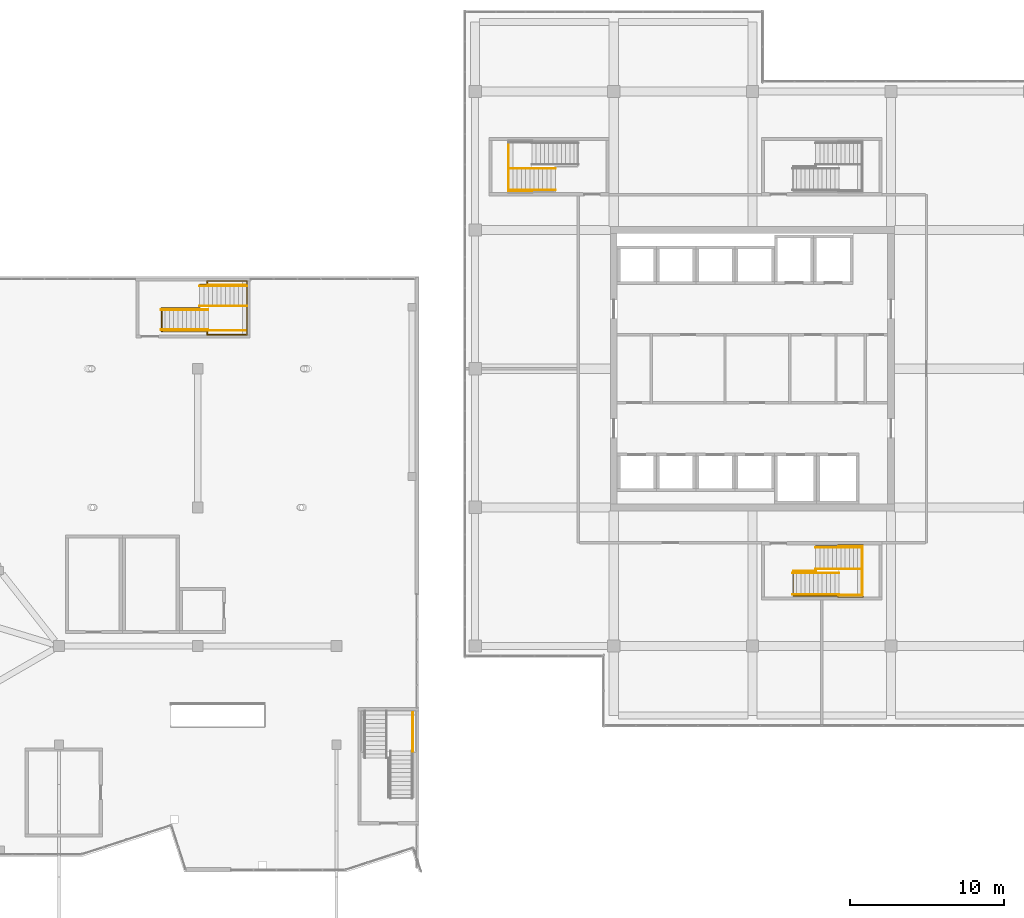
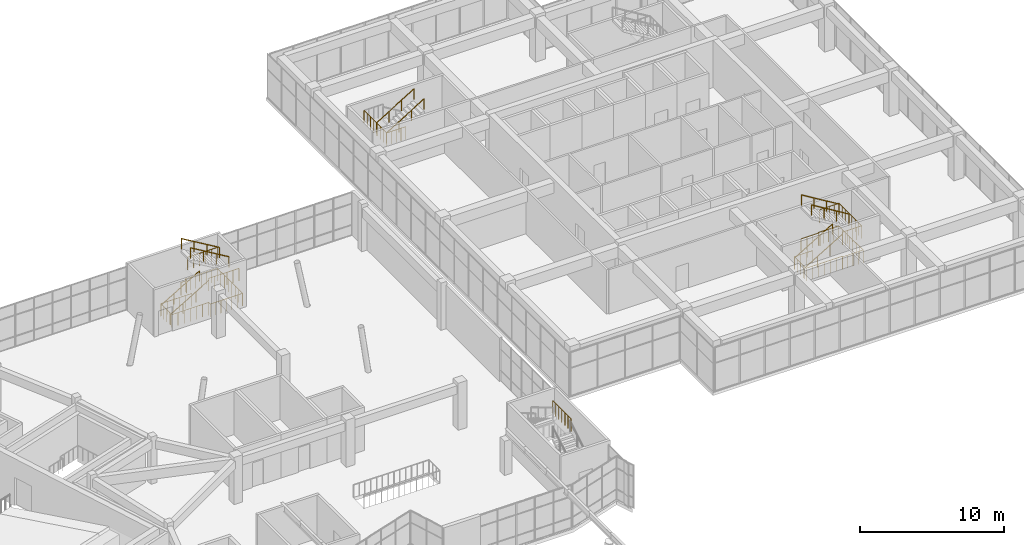
# One storey, part 64 of 65: 22 railings.
"""IFC4 building model written with IfcOpenShell, lengths in metres."""

from ifc_helpers import new_model, si_unit, direction, frame, origin, origin_2d, place, context, subcontext, project, spatial, circle, extrude, material, type_object, element, save


model = new_model("IFC4")

# Units and contexts
model_context = context("Model", 3, precision=1e-05, world=origin(), true_north=direction((0.0, 1.0)))
body_context = subcontext(model_context, "Body", "Model", "MODEL_VIEW")
ifc_project = project(units=[si_unit("LENGTHUNIT", "METRE"), si_unit("AREAUNIT", "SQUARE_METRE"), si_unit("VOLUMEUNIT", "CUBIC_METRE"), si_unit("PLANEANGLEUNIT", "RADIAN"), si_unit("MASSUNIT", "GRAM", prefix="KILO")], contexts=[model_context])

# Site, building, storey
site_placement = place(None, origin())
site = spatial("IfcSite", under=ifc_project, at=site_placement, CompositionType="ELEMENT")
building_placement = place(site_placement, origin())
building = spatial("IfcBuilding", under=site, at=building_placement, Name="Tuart Plaza Theatre", CompositionType="ELEMENT")
storey_placement = place(building_placement, frame((0.0, 0.0, 9.5)))
storey = spatial("IfcBuildingStorey", under=building, at=storey_placement, Name="L02", CompositionType="ELEMENT", Elevation=9.5)

# Railings
ifc_material_1 = material(Name="Steel Grade C350L0", Category="steel")
railing_type_1 = type_object("IfcRailingType", Name="RAILING Guard 1100", PredefinedType="GUARDRAIL", material=ifc_material_1)
railing_1_placement = place(storey_placement, frame((93.659912109375, 76.425048828125, 0.0)))
element("IfcRailing", 1, at=railing_1_placement, inside=storey, type_object=railing_type_1, Name="GR135", PredefinedType="GUARDRAIL", context=body_context, shape_type="SweptSolid", body=[
    extrude(circle(Radius=0.02490234375, at=origin_2d()), frame((0.0, 0.0, 1.0751953125), z_axis=(0.0, 1.0, 0.0), x_axis=(-1.0, 0.0, 0.0)), (0.0, 0.0, 1.0), 1.52490234375),
    extrude(circle(Radius=0.02490234375, at=origin_2d()), frame((0.0, 1.52490234375, 1.0751953125), z_axis=(1.0, 0.0, 0.0), x_axis=(0.0, 1.0, 0.0)), (0.0, 0.0, 1.0), 2.47509765625),
    extrude(circle(Radius=0.02001953125, at=origin_2d()), origin(), (0.0, 0.0, 1.0), 1.050048828125),
    extrude(circle(Radius=0.02001953125, at=origin_2d()), frame((0.0, 0.38134765625, 0.0)), (0.0, 0.0, 1.0), 1.050048828125),
    extrude(circle(Radius=0.02001953125, at=origin_2d()), frame((0.0, 0.762451171875, 0.0)), (0.0, 0.0, 1.0), 1.050048828125),
    extrude(circle(Radius=0.02001953125, at=origin_2d()), frame((0.0, 1.1435546875, 0.0)), (0.0, 0.0, 1.0), 1.050048828125),
    extrude(circle(Radius=0.02001953125, at=origin_2d()), frame((0.0, 1.52490234375, 0.0)), (0.0, 0.0, 1.0), 1.050048828125),
    extrude(circle(Radius=0.02001953125, at=origin_2d()), frame((0.4951171875, 1.52490234375, 0.0)), (0.0, 0.0, 1.0), 1.050048828125),
    extrude(circle(Radius=0.02001953125, at=origin_2d()), frame((0.989990234375, 1.52490234375, 0.0)), (0.0, 0.0, 1.0), 1.050048828125),
    extrude(circle(Radius=0.02001953125, at=origin_2d()), frame((1.485107421875, 1.52490234375, 0.0)), (0.0, 0.0, 1.0), 1.050048828125),
    extrude(circle(Radius=0.02001953125, at=origin_2d()), frame((1.97998046875, 1.52490234375, 0.0)), (0.0, 0.0, 1.0), 1.050048828125),
    extrude(circle(Radius=0.02001953125, at=origin_2d()), frame((2.47509765625, 1.52490234375, 0.0)), (0.0, 0.0, 1.0), 1.050048828125),
])
railing_2_placement = place(storey_placement, frame((96.139892578125, 79.429931640625, 0.0)))
element("IfcRailing", 2, at=railing_2_placement, inside=storey, type_object=railing_type_1, Name="GR136", PredefinedType="GUARDRAIL", context=body_context, shape_type="SweptSolid", body=[
    extrude(circle(Radius=0.02490234375, at=origin_2d()), frame((0.0, 0.0, 1.0751953125), z_axis=(0.0, 1.0, 0.0), x_axis=(-1.0, 0.0, 0.0)), (0.0, 0.0, 1.0), 0.045166015625),
    extrude(circle(Radius=0.02490234375, at=origin_2d()), frame((0.0, 0.045166015625, 1.0751953125), z_axis=(1.0, 0.0, 0.0), x_axis=(0.0, 1.0, 0.0)), (0.0, 0.0, 1.0), 0.47021484375),
    extrude(circle(Radius=0.02490234375, at=origin_2d()), frame((0.47021484375, 0.045166015625, 1.0751953125), z_axis=(0.0, 1.0, 0.0), x_axis=(-1.0, 0.0, 0.0)), (0.0, 0.0, 1.0), 0.224853515625),
    extrude(circle(Radius=0.02490234375, at=origin_2d()), frame((0.47021484375, 0.27001953125, 1.0751953125), z_axis=(1.0, 0.0, 0.0), x_axis=(0.0, 1.0, 0.0)), (0.0, 0.0, 1.0), 2.58984375),
    extrude(circle(Radius=0.02490234375, at=origin_2d()), frame((3.06005859375, 0.27001953125, 1.0751953125), z_axis=(0.0, -1.0, 0.0), x_axis=(1.0, 0.0, 0.0)), (0.0, 0.0, 1.0), 3.5),
    extrude(circle(Radius=0.02490234375, at=origin_2d()), frame((3.06005859375, -3.22998046875, 1.0751953125), z_axis=(-1.0, 0.0, 0.0), x_axis=(0.0, -1.0, 0.0)), (0.0, 0.0, 1.0), 2.58984375),
    extrude(circle(Radius=0.02490234375, at=origin_2d()), frame((0.47021484375, -3.22998046875, 1.0751953125), z_axis=(0.0, 1.0, 0.0), x_axis=(-1.0, 0.0, 0.0)), (0.0, 0.0, 1.0), 0.22509765625),
    extrude(circle(Radius=0.02490234375, at=origin_2d()), frame((0.47021484375, -3.0048828125, 1.0751953125), z_axis=(-1.0, 0.0, 0.0), x_axis=(0.0, -1.0, 0.0)), (0.0, 0.0, 1.0), 2.9501953125),
    extrude(circle(Radius=0.02001953125, at=origin_2d()), origin(), (0.0, 0.0, 1.0), 1.050048828125),
    extrude(circle(Radius=0.02001953125, at=origin_2d()), frame((0.0, 0.045166015625, 0.0)), (0.0, 0.0, 1.0), 1.050048828125),
    extrude(circle(Radius=0.02001953125, at=origin_2d()), frame((0.47021484375, 0.045166015625, 0.0)), (0.0, 0.0, 1.0), 1.050048828125),
    extrude(circle(Radius=0.02001953125, at=origin_2d()), frame((0.47021484375, 0.27001953125, 0.0)), (0.0, 0.0, 1.0), 1.050048828125),
    extrude(circle(Radius=0.02001953125, at=origin_2d()), frame((0.90185546875, 0.27001953125, 0.0)), (0.0, 0.0, 1.0), 1.050048828125),
    extrude(circle(Radius=0.02001953125, at=origin_2d()), frame((1.33349609375, 0.27001953125, 0.0)), (0.0, 0.0, 1.0), 1.050048828125),
    extrude(circle(Radius=0.02001953125, at=origin_2d()), frame((1.76513671875, 0.27001953125, 0.0)), (0.0, 0.0, 1.0), 1.050048828125),
    extrude(circle(Radius=0.02001953125, at=origin_2d()), frame((2.19677734375, 0.27001953125, 0.0)), (0.0, 0.0, 1.0), 1.050048828125),
    extrude(circle(Radius=0.02001953125, at=origin_2d()), frame((2.62841796875, 0.27001953125, 0.0)), (0.0, 0.0, 1.0), 1.050048828125),
    extrude(circle(Radius=0.02001953125, at=origin_2d()), frame((3.06005859375, 0.27001953125, 0.0)), (0.0, 0.0, 1.0), 1.050048828125),
    extrude(circle(Radius=0.02001953125, at=origin_2d()), frame((3.06005859375, -0.22998046875, 0.0)), (0.0, 0.0, 1.0), 1.050048828125),
    extrude(circle(Radius=0.02001953125, at=origin_2d()), frame((3.06005859375, -0.72998046875, 0.0)), (0.0, 0.0, 1.0), 1.050048828125),
    extrude(circle(Radius=0.02001953125, at=origin_2d()), frame((3.06005859375, -1.22998046875, 0.0)), (0.0, 0.0, 1.0), 1.050048828125),
    extrude(circle(Radius=0.02001953125, at=origin_2d()), frame((3.06005859375, -1.72998046875, 0.0)), (0.0, 0.0, 1.0), 1.050048828125),
    extrude(circle(Radius=0.02001953125, at=origin_2d()), frame((3.06005859375, -2.22998046875, 0.0)), (0.0, 0.0, 1.0), 1.050048828125),
    extrude(circle(Radius=0.02001953125, at=origin_2d()), frame((3.06005859375, -2.72998046875, 0.0)), (0.0, 0.0, 1.0), 1.050048828125),
    extrude(circle(Radius=0.02001953125, at=origin_2d()), frame((3.06005859375, -3.22998046875, 0.0)), (0.0, 0.0, 1.0), 1.050048828125),
    extrude(circle(Radius=0.02001953125, at=origin_2d()), frame((2.62841796875, -3.22998046875, 0.0)), (0.0, 0.0, 1.0), 1.050048828125),
    extrude(circle(Radius=0.02001953125, at=origin_2d()), frame((2.19677734375, -3.22998046875, 0.0)), (0.0, 0.0, 1.0), 1.050048828125),
    extrude(circle(Radius=0.02001953125, at=origin_2d()), frame((1.76513671875, -3.22998046875, 0.0)), (0.0, 0.0, 1.0), 1.050048828125),
    extrude(circle(Radius=0.02001953125, at=origin_2d()), frame((1.33349609375, -3.22998046875, 0.0)), (0.0, 0.0, 1.0), 1.050048828125),
    extrude(circle(Radius=0.02001953125, at=origin_2d()), frame((0.90185546875, -3.22998046875, 0.0)), (0.0, 0.0, 1.0), 1.050048828125),
    extrude(circle(Radius=0.02001953125, at=origin_2d()), frame((0.47021484375, -3.22998046875, 0.0)), (0.0, 0.0, 1.0), 1.050048828125),
    extrude(circle(Radius=0.02001953125, at=origin_2d()), frame((0.47021484375, -3.0048828125, 0.0)), (0.0, 0.0, 1.0), 1.050048828125),
    extrude(circle(Radius=0.02001953125, at=origin_2d()), frame((-0.021484375, -3.0048828125, 0.0)), (0.0, 0.0, 1.0), 1.050048828125),
    extrude(circle(Radius=0.02001953125, at=origin_2d()), frame((-0.51318359375, -3.0048828125, 0.0)), (0.0, 0.0, 1.0), 1.050048828125),
    extrude(circle(Radius=0.02001953125, at=origin_2d()), frame((-1.0048828125, -3.0048828125, 0.0)), (0.0, 0.0, 1.0), 1.050048828125),
    extrude(circle(Radius=0.02001953125, at=origin_2d()), frame((-1.49658203125, -3.0048828125, 0.0)), (0.0, 0.0, 1.0), 1.050048828125),
    extrude(circle(Radius=0.02001953125, at=origin_2d()), frame((-1.98828125, -3.0048828125, 0.0)), (0.0, 0.0, 1.0), 1.050048828125),
    extrude(circle(Radius=0.02001953125, at=origin_2d()), frame((-2.47998046875, -3.0048828125, 0.0)), (0.0, 0.0, 1.0), 1.050048828125),
])
railing_3_placement = place(storey_placement, frame((96.659912109375, 76.47509765625, 2.0)))
element("IfcRailing", 3, at=railing_3_placement, inside=storey, type_object=railing_type_1, Name="GR141", PredefinedType="GUARDRAIL", context=body_context, shape_type="SweptSolid", body=[
    extrude(circle(Radius=0.02490234375, at=origin_2d()), frame((0.0, 0.0, 1.0751953125), z_axis=(1.0, 0.0, 0.0), x_axis=(0.0, 1.0, 0.0)), (0.0, 0.0, 1.0), 2.420166015625),
    extrude(circle(Radius=0.02001953125, at=origin_2d()), origin(), (0.0, 0.0, 1.0), 1.050048828125),
    extrude(circle(Radius=0.02001953125, at=origin_2d()), frame((0.484130859375, 0.0, 0.0)), (0.0, 0.0, 1.0), 1.050048828125),
    extrude(circle(Radius=0.02001953125, at=origin_2d()), frame((0.968017578125, 0.0, 0.0)), (0.0, 0.0, 1.0), 1.050048828125),
    extrude(circle(Radius=0.02001953125, at=origin_2d()), frame((1.4521484375, 0.0, 0.0)), (0.0, 0.0, 1.0), 1.050048828125),
    extrude(circle(Radius=0.02001953125, at=origin_2d()), frame((1.93603515625, 0.0, 0.0)), (0.0, 0.0, 1.0), 1.050048828125),
    extrude(circle(Radius=0.02001953125, at=origin_2d()), frame((2.420166015625, 0.0, 0.0)), (0.0, 0.0, 1.0), 1.050048828125),
])
railing_4_placement = place(storey_placement, frame((99.080078125, 79.425048828125, 2.0)))
element("IfcRailing", 4, at=railing_4_placement, inside=storey, type_object=railing_type_1, Name="GR142", PredefinedType="GUARDRAIL", context=body_context, shape_type="SweptSolid", body=[
    extrude(circle(Radius=0.02490234375, at=origin_2d()), frame((0.0, 0.0, 1.0751953125), z_axis=(-1.0, 0.0, 0.0), x_axis=(0.0, -1.0, 0.0)), (0.0, 0.0, 1.0), 2.420166015625),
    extrude(circle(Radius=0.02001953125, at=origin_2d()), origin(), (0.0, 0.0, 1.0), 1.050048828125),
    extrude(circle(Radius=0.02001953125, at=origin_2d()), frame((-0.484130859375, 0.0, 0.0)), (0.0, 0.0, 1.0), 1.050048828125),
    extrude(circle(Radius=0.02001953125, at=origin_2d()), frame((-0.968017578125, 0.0, 0.0)), (0.0, 0.0, 1.0), 1.050048828125),
    extrude(circle(Radius=0.02001953125, at=origin_2d()), frame((-1.4521484375, 0.0, 0.0)), (0.0, 0.0, 1.0), 1.050048828125),
    extrude(circle(Radius=0.02001953125, at=origin_2d()), frame((-1.93603515625, 0.0, 0.0)), (0.0, 0.0, 1.0), 1.050048828125),
    extrude(circle(Radius=0.02001953125, at=origin_2d()), frame((-2.420166015625, 0.0, 0.0)), (0.0, 0.0, 1.0), 1.050048828125),
])
railing_5_placement = place(storey_placement, frame((109.955078125, 49.159912109375, 2.0)))
element("IfcRailing", 5, at=railing_5_placement, inside=storey, type_object=railing_type_1, Name="GR153", PredefinedType="GUARDRAIL", context=body_context, shape_type="SweptSolid", body=[
    extrude(circle(Radius=0.02490234375, at=origin_2d()), frame((0.0, 0.0, 1.0751953125), z_axis=(0.0, 1.0, 0.0), x_axis=(-1.0, 0.0, 0.0)), (0.0, 0.0, 1.0), 2.52001953125),
    extrude(circle(Radius=0.02001953125, at=origin_2d()), origin(), (0.0, 0.0, 1.0), 1.050048828125),
    extrude(circle(Radius=0.02001953125, at=origin_2d()), frame((0.0, 0.419921875, 0.0)), (0.0, 0.0, 1.0), 1.050048828125),
    extrude(circle(Radius=0.02001953125, at=origin_2d()), frame((0.0, 0.840087890625, 0.0)), (0.0, 0.0, 1.0), 1.050048828125),
    extrude(circle(Radius=0.02001953125, at=origin_2d()), frame((0.0, 1.260009765625, 0.0)), (0.0, 0.0, 1.0), 1.050048828125),
    extrude(circle(Radius=0.02001953125, at=origin_2d()), frame((0.0, 1.679931640625, 0.0)), (0.0, 0.0, 1.0), 1.050048828125),
    extrude(circle(Radius=0.02001953125, at=origin_2d()), frame((0.0, 2.10009765625, 0.0)), (0.0, 0.0, 1.0), 1.050048828125),
    extrude(circle(Radius=0.02001953125, at=origin_2d()), frame((0.0, 2.52001953125, 0.0)), (0.0, 0.0, 1.0), 1.050048828125),
])
railing_6_placement = place(storey_placement, frame((134.655029296875, 60.875, 0.0)))
element("IfcRailing", 6, at=railing_6_placement, inside=storey, type_object=railing_type_1, Name="GR204", PredefinedType="GUARDRAIL", context=body_context, shape_type="SweptSolid", body=[
    extrude(circle(Radius=0.02490234375, at=origin_2d()), frame((0.0, 0.0, 1.0751953125), z_axis=(1.0, 0.0, 0.0), x_axis=(0.0, 1.0, 0.0)), (0.0, 0.0, 1.0), 1.455078125),
    extrude(circle(Radius=0.02001953125, at=origin_2d()), origin(), (0.0, 0.0, 1.0), 1.050048828125),
    extrude(circle(Radius=0.02001953125, at=origin_2d()), frame((0.485107421875, 0.0, 0.0)), (0.0, 0.0, 1.0), 1.050048828125),
    extrude(circle(Radius=0.02001953125, at=origin_2d()), frame((0.969970703125, 0.0, 0.0)), (0.0, 0.0, 1.0), 1.050048828125),
    extrude(circle(Radius=0.02001953125, at=origin_2d()), frame((1.455078125, 0.0, 0.0)), (0.0, 0.0, 1.0), 1.050048828125),
])
railing_7_placement = place(storey_placement, frame((136.114990234375, 62.455078125, 0.0)))
element("IfcRailing", 7, at=railing_7_placement, inside=storey, type_object=railing_type_1, Name="GR205", PredefinedType="GUARDRAIL", context=body_context, shape_type="SweptSolid", body=[
    extrude(circle(Radius=0.02490234375, at=origin_2d()), frame((0.0, 0.0, 1.0751953125), z_axis=(0.0, 1.0, 0.0), x_axis=(-1.0, 0.0, 0.0)), (0.0, 0.0, 1.0), 0.044921875),
    extrude(circle(Radius=0.02490234375, at=origin_2d()), frame((0.0, 0.044921875, 1.0751953125), z_axis=(1.0, 0.0, 0.0), x_axis=(0.0, 1.0, 0.0)), (0.0, 0.0, 1.0), 1.43505859375),
    extrude(circle(Radius=0.02490234375, at=origin_2d()), frame((1.43505859375, 0.044921875, 1.0751953125), z_axis=(0.0, 1.0, 0.0), x_axis=(-1.0, 0.0, 0.0)), (0.0, 0.0, 1.0), 0.074951171875),
    extrude(circle(Radius=0.02490234375, at=origin_2d()), frame((1.43505859375, 0.119873046875, 1.0751953125), z_axis=(1.0, 0.0, 0.0), x_axis=(0.0, 1.0, 0.0)), (0.0, 0.0, 1.0), 1.6298828125),
    extrude(circle(Radius=0.02490234375, at=origin_2d()), frame((3.06494140625, 0.119873046875, 1.0751953125), z_axis=(0.0, -1.0, 0.0), x_axis=(1.0, 0.0, 0.0)), (0.0, 0.0, 1.0), 3.39990234375),
    extrude(circle(Radius=0.02490234375, at=origin_2d()), frame((3.06494140625, -3.280029296875, 1.0751953125), z_axis=(-1.0, 0.0, 0.0), x_axis=(0.0, -1.0, 0.0)), (0.0, 0.0, 1.0), 1.6298828125),
    extrude(circle(Radius=0.02490234375, at=origin_2d()), frame((1.43505859375, -3.280029296875, 1.0751953125), z_axis=(0.0, 1.0, 0.0), x_axis=(-1.0, 0.0, 0.0)), (0.0, 0.0, 1.0), 0.074951171875),
    extrude(circle(Radius=0.02490234375, at=origin_2d()), frame((1.43505859375, -3.205078125, 1.0751953125), z_axis=(-1.0, 0.0, 0.0), x_axis=(0.0, -1.0, 0.0)), (0.0, 0.0, 1.0), 2.89501953125),
    extrude(circle(Radius=0.02490234375, at=origin_2d()), frame((-1.4599609375, -3.205078125, 1.0751953125), z_axis=(0.0, 1.0, 0.0), x_axis=(-1.0, 0.0, 0.0)), (0.0, 0.0, 1.0), 1.625),
    extrude(circle(Radius=0.02001953125, at=origin_2d()), origin(), (0.0, 0.0, 1.0), 1.050048828125),
    extrude(circle(Radius=0.02001953125, at=origin_2d()), frame((0.0, 0.044921875, 0.0)), (0.0, 0.0, 1.0), 1.050048828125),
    extrude(circle(Radius=0.02001953125, at=origin_2d()), frame((0.478271484375, 0.044921875, 0.0)), (0.0, 0.0, 1.0), 1.050048828125),
    extrude(circle(Radius=0.02001953125, at=origin_2d()), frame((0.956787109375, 0.044921875, 0.0)), (0.0, 0.0, 1.0), 1.050048828125),
    extrude(circle(Radius=0.02001953125, at=origin_2d()), frame((1.43505859375, 0.044921875, 0.0)), (0.0, 0.0, 1.0), 1.050048828125),
    extrude(circle(Radius=0.02001953125, at=origin_2d()), frame((1.43505859375, 0.119873046875, 0.0)), (0.0, 0.0, 1.0), 1.050048828125),
    extrude(circle(Radius=0.02001953125, at=origin_2d()), frame((1.842529296875, 0.119873046875, 0.0)), (0.0, 0.0, 1.0), 1.050048828125),
    extrude(circle(Radius=0.02001953125, at=origin_2d()), frame((2.25, 0.119873046875, 0.0)), (0.0, 0.0, 1.0), 1.050048828125),
    extrude(circle(Radius=0.02001953125, at=origin_2d()), frame((2.657470703125, 0.119873046875, 0.0)), (0.0, 0.0, 1.0), 1.050048828125),
    extrude(circle(Radius=0.02001953125, at=origin_2d()), frame((3.06494140625, 0.119873046875, 0.0)), (0.0, 0.0, 1.0), 1.050048828125),
    extrude(circle(Radius=0.02001953125, at=origin_2d()), frame((3.06494140625, -0.36572265625, 0.0)), (0.0, 0.0, 1.0), 1.050048828125),
    extrude(circle(Radius=0.02001953125, at=origin_2d()), frame((3.06494140625, -0.8515625, 0.0)), (0.0, 0.0, 1.0), 1.050048828125),
    extrude(circle(Radius=0.02001953125, at=origin_2d()), frame((3.06494140625, -1.337158203125, 0.0)), (0.0, 0.0, 1.0), 1.050048828125),
    extrude(circle(Radius=0.02001953125, at=origin_2d()), frame((3.06494140625, -1.822998046875, 0.0)), (0.0, 0.0, 1.0), 1.050048828125),
    extrude(circle(Radius=0.02001953125, at=origin_2d()), frame((3.06494140625, -2.30859375, 0.0)), (0.0, 0.0, 1.0), 1.050048828125),
    extrude(circle(Radius=0.02001953125, at=origin_2d()), frame((3.06494140625, -2.79443359375, 0.0)), (0.0, 0.0, 1.0), 1.050048828125),
    extrude(circle(Radius=0.02001953125, at=origin_2d()), frame((3.06494140625, -3.280029296875, 0.0)), (0.0, 0.0, 1.0), 1.050048828125),
    extrude(circle(Radius=0.02001953125, at=origin_2d()), frame((2.657470703125, -3.280029296875, 0.0)), (0.0, 0.0, 1.0), 1.050048828125),
    extrude(circle(Radius=0.02001953125, at=origin_2d()), frame((2.25, -3.280029296875, 0.0)), (0.0, 0.0, 1.0), 1.050048828125),
    extrude(circle(Radius=0.02001953125, at=origin_2d()), frame((1.842529296875, -3.280029296875, 0.0)), (0.0, 0.0, 1.0), 1.050048828125),
    extrude(circle(Radius=0.02001953125, at=origin_2d()), frame((1.43505859375, -3.280029296875, 0.0)), (0.0, 0.0, 1.0), 1.050048828125),
    extrude(circle(Radius=0.02001953125, at=origin_2d()), frame((1.43505859375, -3.205078125, 0.0)), (0.0, 0.0, 1.0), 1.050048828125),
    extrude(circle(Radius=0.02001953125, at=origin_2d()), frame((0.95263671875, -3.205078125, 0.0)), (0.0, 0.0, 1.0), 1.050048828125),
    extrude(circle(Radius=0.02001953125, at=origin_2d()), frame((0.469970703125, -3.205078125, 0.0)), (0.0, 0.0, 1.0), 1.050048828125),
    extrude(circle(Radius=0.02001953125, at=origin_2d()), frame((-0.012451171875, -3.205078125, 0.0)), (0.0, 0.0, 1.0), 1.050048828125),
    extrude(circle(Radius=0.02001953125, at=origin_2d()), frame((-0.494873046875, -3.205078125, 0.0)), (0.0, 0.0, 1.0), 1.050048828125),
    extrude(circle(Radius=0.02001953125, at=origin_2d()), frame((-0.9775390625, -3.205078125, 0.0)), (0.0, 0.0, 1.0), 1.050048828125),
    extrude(circle(Radius=0.02001953125, at=origin_2d()), frame((-1.4599609375, -3.205078125, 0.0)), (0.0, 0.0, 1.0), 1.050048828125),
    extrude(circle(Radius=0.02001953125, at=origin_2d()), frame((-1.4599609375, -2.798828125, 0.0)), (0.0, 0.0, 1.0), 1.050048828125),
    extrude(circle(Radius=0.02001953125, at=origin_2d()), frame((-1.4599609375, -2.392578125, 0.0)), (0.0, 0.0, 1.0), 1.050048828125),
    extrude(circle(Radius=0.02001953125, at=origin_2d()), frame((-1.4599609375, -1.986328125, 0.0)), (0.0, 0.0, 1.0), 1.050048828125),
    extrude(circle(Radius=0.02001953125, at=origin_2d()), frame((-1.4599609375, -1.580078125, 0.0)), (0.0, 0.0, 1.0), 1.050048828125),
])
railing_8_placement = place(storey_placement, frame((137.60009765625, 59.300048828125, 2.0)))
element("IfcRailing", 8, at=railing_8_placement, inside=storey, type_object=railing_type_1, Name="GR211", PredefinedType="GUARDRAIL", context=body_context, shape_type="SweptSolid", body=[
    extrude(circle(Radius=0.02490234375, at=origin_2d()), frame((0.0, 0.0, 1.0751953125), z_axis=(1.0, 0.0, 0.0), x_axis=(0.0, 1.0, 0.0)), (0.0, 0.0, 1.0), 1.52978515625),
    extrude(circle(Radius=0.02001953125, at=origin_2d()), origin(), (0.0, 0.0, 1.0), 1.050048828125),
    extrude(circle(Radius=0.02001953125, at=origin_2d()), frame((0.38232421875, 0.0, 0.0)), (0.0, 0.0, 1.0), 1.050048828125),
    extrude(circle(Radius=0.02001953125, at=origin_2d()), frame((0.764892578125, 0.0, 0.0)), (0.0, 0.0, 1.0), 1.050048828125),
    extrude(circle(Radius=0.02001953125, at=origin_2d()), frame((1.1474609375, 0.0, 0.0)), (0.0, 0.0, 1.0), 1.050048828125),
    extrude(circle(Radius=0.02001953125, at=origin_2d()), frame((1.52978515625, 0.0, 0.0)), (0.0, 0.0, 1.0), 1.050048828125),
])
railing_9_placement = place(storey_placement, frame((139.1298828125, 59.300048828125, 2.0)))
element("IfcRailing", 9, at=railing_9_placement, inside=storey, type_object=railing_type_1, Name="GR212", PredefinedType="GUARDRAIL", context=body_context, shape_type="SweptSolid", body=[
    extrude(circle(Radius=0.02490234375, at=origin_2d()), frame((0.0, 0.0, 1.0751953125), z_axis=(0.0, 1.0, 0.0), x_axis=(-1.0, 0.0, 0.0)), (0.0, 0.0, 1.0), 3.14990234375),
    extrude(circle(Radius=0.02001953125, at=origin_2d()), origin(), (0.0, 0.0, 1.0), 1.050048828125),
    extrude(circle(Radius=0.02001953125, at=origin_2d()), frame((0.0, 0.449951171875, 0.0)), (0.0, 0.0, 1.0), 1.050048828125),
    extrude(circle(Radius=0.02001953125, at=origin_2d()), frame((0.0, 0.89990234375, 0.0)), (0.0, 0.0, 1.0), 1.050048828125),
    extrude(circle(Radius=0.02001953125, at=origin_2d()), frame((0.0, 1.349853515625, 0.0)), (0.0, 0.0, 1.0), 1.050048828125),
    extrude(circle(Radius=0.02001953125, at=origin_2d()), frame((0.0, 1.800048828125, 0.0)), (0.0, 0.0, 1.0), 1.050048828125),
    extrude(circle(Radius=0.02001953125, at=origin_2d()), frame((0.0, 2.25, 0.0)), (0.0, 0.0, 1.0), 1.050048828125),
    extrude(circle(Radius=0.02001953125, at=origin_2d()), frame((0.0, 2.699951171875, 0.0)), (0.0, 0.0, 1.0), 1.050048828125),
    extrude(circle(Radius=0.02001953125, at=origin_2d()), frame((0.0, 3.14990234375, 0.0)), (0.0, 0.0, 1.0), 1.050048828125),
])
railing_10_placement = place(storey_placement, frame((139.1298828125, 62.449951171875, 2.0)))
element("IfcRailing", 10, at=railing_10_placement, inside=storey, type_object=railing_type_1, Name="GR213", PredefinedType="GUARDRAIL", context=body_context, shape_type="SweptSolid", body=[
    extrude(circle(Radius=0.02490234375, at=origin_2d()), frame((0.0, 0.0, 1.0751953125), z_axis=(-1.0, 0.0, 0.0), x_axis=(0.0, -1.0, 0.0)), (0.0, 0.0, 1.0), 1.52978515625),
    extrude(circle(Radius=0.02001953125, at=origin_2d()), origin(), (0.0, 0.0, 1.0), 1.050048828125),
    extrude(circle(Radius=0.02001953125, at=origin_2d()), frame((-0.38232421875, 0.0, 0.0)), (0.0, 0.0, 1.0), 1.050048828125),
    extrude(circle(Radius=0.02001953125, at=origin_2d()), frame((-0.764892578125, 0.0, 0.0)), (0.0, 0.0, 1.0), 1.050048828125),
    extrude(circle(Radius=0.02001953125, at=origin_2d()), frame((-1.1474609375, 0.0, 0.0)), (0.0, 0.0, 1.0), 1.050048828125),
    extrude(circle(Radius=0.02001953125, at=origin_2d()), frame((-1.52978515625, 0.0, 0.0)), (0.0, 0.0, 1.0), 1.050048828125),
])
railing_11_placement = place(storey_placement, frame((116.169921875, 88.699951171875, 2.0)))
element("IfcRailing", 11, at=railing_11_placement, inside=storey, type_object=railing_type_1, Name="GR370", PredefinedType="GUARDRAIL", context=body_context, shape_type="SweptSolid", body=[
    extrude(circle(Radius=0.02490234375, at=origin_2d()), frame((0.0, 0.0, 1.0751953125), z_axis=(0.0, -1.0, 0.0), x_axis=(1.0, 0.0, 0.0)), (0.0, 0.0, 1.0), 3.14990234375),
    extrude(circle(Radius=0.02001953125, at=origin_2d()), origin(), (0.0, 0.0, 1.0), 1.050048828125),
    extrude(circle(Radius=0.02001953125, at=origin_2d()), frame((0.0, -0.449951171875, 0.0)), (0.0, 0.0, 1.0), 1.050048828125),
    extrude(circle(Radius=0.02001953125, at=origin_2d()), frame((0.0, -0.89990234375, 0.0)), (0.0, 0.0, 1.0), 1.050048828125),
    extrude(circle(Radius=0.02001953125, at=origin_2d()), frame((0.0, -1.349853515625, 0.0)), (0.0, 0.0, 1.0), 1.050048828125),
    extrude(circle(Radius=0.02001953125, at=origin_2d()), frame((0.0, -1.800048828125, 0.0)), (0.0, 0.0, 1.0), 1.050048828125),
    extrude(circle(Radius=0.02001953125, at=origin_2d()), frame((0.0, -2.25, 0.0)), (0.0, 0.0, 1.0), 1.050048828125),
    extrude(circle(Radius=0.02001953125, at=origin_2d()), frame((0.0, -2.699951171875, 0.0)), (0.0, 0.0, 1.0), 1.050048828125),
    extrude(circle(Radius=0.02001953125, at=origin_2d()), frame((0.0, -3.14990234375, 0.0)), (0.0, 0.0, 1.0), 1.050048828125),
])
railing_12_placement = place(storey_placement, frame((116.169921875, 85.550048828125, 2.0)))
element("IfcRailing", 12, at=railing_12_placement, inside=storey, type_object=railing_type_1, Name="GR371", PredefinedType="GUARDRAIL", context=body_context, shape_type="SweptSolid", body=[
    extrude(circle(Radius=0.02490234375, at=origin_2d()), frame((0.0, 0.0, 1.0751953125), z_axis=(1.0, 0.0, 0.0), x_axis=(0.0, 1.0, 0.0)), (0.0, 0.0, 1.0), 1.530029296875),
    extrude(circle(Radius=0.02001953125, at=origin_2d()), origin(), (0.0, 0.0, 1.0), 1.050048828125),
    extrude(circle(Radius=0.02001953125, at=origin_2d()), frame((0.382568359375, 0.0, 0.0)), (0.0, 0.0, 1.0), 1.050048828125),
    extrude(circle(Radius=0.02001953125, at=origin_2d()), frame((0.76513671875, 0.0, 0.0)), (0.0, 0.0, 1.0), 1.050048828125),
    extrude(circle(Radius=0.02001953125, at=origin_2d()), frame((1.1474609375, 0.0, 0.0)), (0.0, 0.0, 1.0), 1.050048828125),
    extrude(circle(Radius=0.02001953125, at=origin_2d()), frame((1.530029296875, 0.0, 0.0)), (0.0, 0.0, 1.0), 1.050048828125),
])
ifc_material_2 = material(Name="Steel Grade C350L0", Category="steel")
railing_type_2 = type_object("IfcRailingType", Name="RAILING Handrail 900", PredefinedType="HANDRAIL", material=ifc_material_2)
for number, where, name in (
    (13, (93.60009765625, 77.824951171875, 0.166748046875), "HR75"),
    (14, (93.60009765625, 76.52490234375, 0.166748046875), "HR76"),
):
    element("IfcRailing", number, at=place(storey_placement, frame(where)), inside=storey, type_object=railing_type_2, Name=name, PredefinedType="HANDRAIL", context=body_context, shape_type="SweptSolid", body=[
        extrude(circle(Radius=0.0224609375, at=origin_2d()), frame((0.0, 0.0, 0.87744140625), z_axis=(0.859290745958, 0.0, 0.51148745235), x_axis=(0.0, 1.0, 0.0)), (0.0, 0.0, 1.0), 3.584228515625),
        extrude(circle(Radius=0.01513671875, at=origin_2d()), origin(), (0.0, 0.0, 1.0), 0.85498046875),
        extrude(circle(Radius=0.01513671875, at=origin_2d()), frame((1.026611328125, 0.0, 0.611083984375)), (0.0, 0.0, 1.0), 0.85498046875),
        extrude(circle(Radius=0.01513671875, at=origin_2d()), frame((2.05322265625, 0.0, 1.22216796875)), (0.0, 0.0, 1.0), 0.85498046875),
        extrude(circle(Radius=0.01513671875, at=origin_2d()), frame((3.079833984375, 0.0, 1.833251953125)), (0.0, 0.0, 1.0), 0.85498046875),
    ])
for number, where, name in (
    (15, (99.199951171875, 78.074951171875, 2.166748046875), "HR77"),
    (16, (99.199951171875, 79.375, 2.166748046875), "HR78"),
):
    element("IfcRailing", number, at=place(storey_placement, frame(where)), inside=storey, type_object=railing_type_2, Name=name, PredefinedType="HANDRAIL", context=body_context, shape_type="SweptSolid", body=[
        extrude(circle(Radius=0.0224609375, at=origin_2d()), frame((0.0, 0.0, 0.87744140625), z_axis=(-0.859290745958, 0.0, 0.51148745235), x_axis=(0.0, -1.0, 0.0)), (0.0, 0.0, 1.0), 3.584228515625),
        extrude(circle(Radius=0.01513671875, at=origin_2d()), origin(), (0.0, 0.0, 1.0), 0.85498046875),
        extrude(circle(Radius=0.01513671875, at=origin_2d()), frame((-1.026611328125, 0.0, 0.611083984375)), (0.0, 0.0, 1.0), 0.85498046875),
        extrude(circle(Radius=0.01513671875, at=origin_2d()), frame((-2.05322265625, 0.0, 1.22216796875)), (0.0, 0.0, 1.0), 0.85498046875),
        extrude(circle(Radius=0.01513671875, at=origin_2d()), frame((-3.079833984375, 0.0, 1.833251953125)), (0.0, 0.0, 1.0), 0.85498046875),
    ])
for number, where, name in (
    (17, (134.594970703125, 60.75, 0.166748046875), "HR123"),
    (18, (134.594970703125, 59.35009765625, 0.166748046875), "HR124"),
):
    element("IfcRailing", number, at=place(storey_placement, frame(where)), inside=storey, type_object=railing_type_2, Name=name, PredefinedType="HANDRAIL", context=body_context, shape_type="SweptSolid", body=[
        extrude(circle(Radius=0.0224609375, at=origin_2d()), frame((0.0, 0.0, 0.87744140625), z_axis=(0.855219153138, 0.0, 0.518266533848), x_axis=(0.0, 1.0, 0.0)), (0.0, 0.0, 1.0), 3.537353515625),
        extrude(circle(Radius=0.01513671875, at=origin_2d()), origin(), (0.0, 0.0, 1.0), 0.85498046875),
        extrude(circle(Radius=0.01513671875, at=origin_2d()), frame((1.00830078125, 0.0, 0.611083984375)), (0.0, 0.0, 1.0), 0.85498046875),
        extrude(circle(Radius=0.01513671875, at=origin_2d()), frame((2.016845703125, 0.0, 1.22216796875)), (0.0, 0.0, 1.0), 0.85498046875),
        extrude(circle(Radius=0.01513671875, at=origin_2d()), frame((3.025146484375, 0.0, 1.833251953125)), (0.0, 0.0, 1.0), 0.85498046875),
    ])
for number, where, name in (
    (19, (139.1201171875, 61.0, 2.166748046875), "HR125"),
    (20, (139.1201171875, 62.39990234375, 2.166748046875), "HR126"),
):
    element("IfcRailing", number, at=place(storey_placement, frame(where)), inside=storey, type_object=railing_type_2, Name=name, PredefinedType="HANDRAIL", context=body_context, shape_type="SweptSolid", body=[
        extrude(circle(Radius=0.0224609375, at=origin_2d()), frame((0.0, 0.0, 0.87744140625), z_axis=(-0.855219153138, 0.0, 0.518266533848), x_axis=(0.0, -1.0, 0.0)), (0.0, 0.0, 1.0), 3.537353515625),
        extrude(circle(Radius=0.01513671875, at=origin_2d()), origin(), (0.0, 0.0, 1.0), 0.85498046875),
        extrude(circle(Radius=0.01513671875, at=origin_2d()), frame((-1.00830078125, 0.0, 0.611083984375)), (0.0, 0.0, 1.0), 0.85498046875),
        extrude(circle(Radius=0.01513671875, at=origin_2d()), frame((-2.016845703125, 0.0, 1.22216796875)), (0.0, 0.0, 1.0), 0.85498046875),
        extrude(circle(Radius=0.01513671875, at=origin_2d()), frame((-3.025146484375, 0.0, 1.833251953125)), (0.0, 0.0, 1.0), 0.85498046875),
    ])
for number, where, name in (
    (21, (116.179931640625, 87.0, 2.166748046875), "HR253"),
    (22, (116.179931640625, 85.60009765625, 2.166748046875), "HR254"),
):
    element("IfcRailing", number, at=place(storey_placement, frame(where)), inside=storey, type_object=railing_type_2, Name=name, PredefinedType="HANDRAIL", context=body_context, shape_type="SweptSolid", body=[
        extrude(circle(Radius=0.0224609375, at=origin_2d()), frame((0.0, 0.0, 0.87744140625), z_axis=(0.855219153138, 0.0, 0.518266533848), x_axis=(0.0, 1.0, 0.0)), (0.0, 0.0, 1.0), 3.537353515625),
        extrude(circle(Radius=0.01513671875, at=origin_2d()), origin(), (0.0, 0.0, 1.0), 0.85498046875),
        extrude(circle(Radius=0.01513671875, at=origin_2d()), frame((1.00830078125, 0.0, 0.611083984375)), (0.0, 0.0, 1.0), 0.85498046875),
        extrude(circle(Radius=0.01513671875, at=origin_2d()), frame((2.016845703125, 0.0, 1.22216796875)), (0.0, 0.0, 1.0), 0.85498046875),
        extrude(circle(Radius=0.01513671875, at=origin_2d()), frame((3.025146484375, 0.0, 1.833251953125)), (0.0, 0.0, 1.0), 0.85498046875),
    ])

save(model, "model.ifc")
